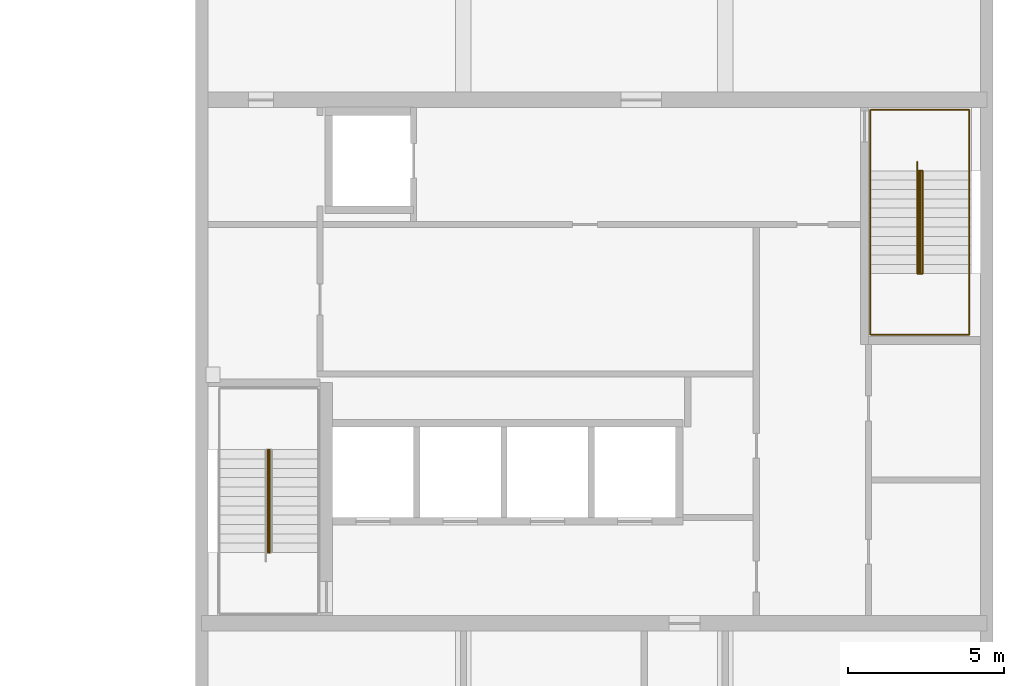
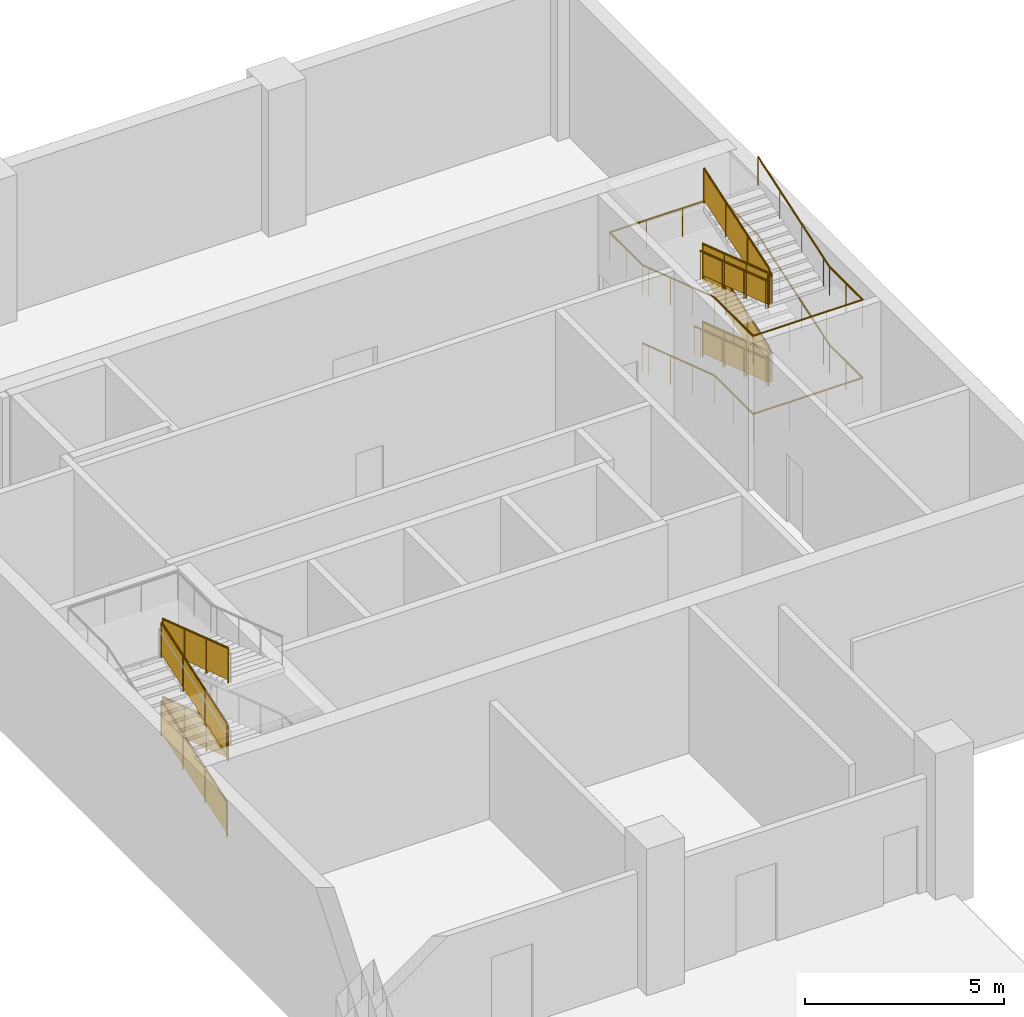
# One storey, part 12 of 13: 10 railings.
"""IFC4 building model written with IfcOpenShell, lengths in metres."""

from ifc_helpers import new_model, si_unit, direction, frame, origin, origin_2d, place, context, subcontext, project, spatial, polyline, circle, outline, extrude, material, type_object, element, save


model = new_model("IFC4")

# Units and contexts
model_context = context("Model", 3, precision=1e-05, world=origin(), true_north=direction((0.0, 1.0)))
body_context = subcontext(model_context, "Body", "Model", "MODEL_VIEW")
ifc_project = project(units=[si_unit("LENGTHUNIT", "METRE"), si_unit("AREAUNIT", "SQUARE_METRE"), si_unit("VOLUMEUNIT", "CUBIC_METRE"), si_unit("PLANEANGLEUNIT", "RADIAN"), si_unit("MASSUNIT", "GRAM", prefix="KILO")], contexts=[model_context])

# Site, building, storey
site_placement = place(None, origin())
site = spatial("IfcSite", under=ifc_project, at=site_placement, CompositionType="ELEMENT")
building_placement = place(site_placement, origin())
building = spatial("IfcBuilding", under=site, at=building_placement, Name="Rulbaag Community and Learning Centre", CompositionType="ELEMENT")
storey_placement = place(building_placement, frame((0.0, 0.0, -4.800048828125)))
storey = spatial("IfcBuildingStorey", under=building, at=storey_placement, Name="B1", CompositionType="ELEMENT", Elevation=-4.800048828125)

# Railings
ifc_material_1 = material(Name="Galvanised mild steel", Category="steel")
railing_type_1 = type_object("IfcRailingType", Name="GR-1100 GUARD 1100", PredefinedType="GUARDRAIL", material=ifc_material_1)
railing_1_placement = place(storey_placement, frame((144.929931640625, 94.675048828125, 0.10009765625)))
element("IfcRailing", 1, at=railing_1_placement, inside=storey, type_object=railing_type_1, Name="Guard ST1 B1 G", PredefinedType="GUARDRAIL", context=body_context, shape_type="SweptSolid", body=[
    extrude(circle(Radius=0.02490234375, at=origin_2d()), frame((0.0, 0.0, 1.0751953125), z_axis=(0.0, 0.948697334215, 0.316185654408), x_axis=(-1.0, 0.0, 0.0)), (0.0, 0.0, 1.0), 3.478515625),
    extrude(circle(Radius=0.02001953125, at=origin_2d()), origin(), (0.0, 0.0, 1.0), 1.050048828125),
    extrude(circle(Radius=0.02001953125, at=origin_2d()), frame((0.0, 1.10009765625, 0.36669921875)), (0.0, 0.0, 1.0), 1.050048828125),
    extrude(circle(Radius=0.02001953125, at=origin_2d()), frame((0.0, 2.199951171875, 0.733154296875)), (0.0, 0.0, 1.0), 1.050048828125),
    extrude(circle(Radius=0.02001953125, at=origin_2d()), frame((0.0, 3.300048828125, 1.099853515625)), (0.0, 0.0, 1.0), 1.050048828125),
    extrude(outline(polyline([(0.0, 0.0), (3.300048828125, 1.099853515625), (3.300048828125, 2.0498046875), (0.0, 0.949951171875), (0.0, 0.0)])), frame((-0.0048828125, 0.0, 0.10009765625), z_axis=(1.0, 0.0, 0.0), x_axis=(0.0, 1.0, 0.0)), (0.0, 0.0, 1.0), 0.010009765625),
])
railing_2_placement = place(storey_placement, frame((144.969970703125, 97.97509765625, 1.300048828125)))
element("IfcRailing", 2, at=railing_2_placement, inside=storey, type_object=railing_type_1, Name="Guard ST1 B1 G2", PredefinedType="GUARDRAIL", context=body_context, shape_type="SweptSolid", body=[
    extrude(circle(Radius=0.02490234375, at=origin_2d()), frame((0.0, 0.0, 1.0751953125), z_axis=(0.0, -0.948676279423, 0.31624882112), x_axis=(1.0, 0.0, 0.0)), (0.0, 0.0, 1.0), 3.478515625),
    extrude(circle(Radius=0.02001953125, at=origin_2d()), origin(), (0.0, 0.0, 1.0), 1.050048828125),
    extrude(circle(Radius=0.02001953125, at=origin_2d()), frame((0.0, -1.10009765625, 0.36669921875)), (0.0, 0.0, 1.0), 1.050048828125),
    extrude(circle(Radius=0.02001953125, at=origin_2d()), frame((0.0, -2.199951171875, 0.7333984375)), (0.0, 0.0, 1.0), 1.050048828125),
    extrude(circle(Radius=0.02001953125, at=origin_2d()), frame((0.0, -3.300048828125, 1.10009765625)), (0.0, 0.0, 1.0), 1.050048828125),
    extrude(outline(polyline([(0.0, 0.0), (3.300048828125, 1.10009765625), (3.300048828125, 2.050048828125), (0.0, 0.949951171875), (0.0, 0.0)])), frame((0.0048828125, 0.0, 0.10009765625), z_axis=(-1.0, 0.0, 0.0), x_axis=(0.0, -1.0, 0.0)), (0.0, 0.0, 1.0), 0.010009765625),
])
railing_3_placement = place(storey_placement, frame((144.929931640625, 94.675048828125, 2.5)))
element("IfcRailing", 3, at=railing_3_placement, inside=storey, type_object=railing_type_1, Name="Guard ST1 B1 G3", PredefinedType="GUARDRAIL", context=body_context, shape_type="SweptSolid", body=[
    extrude(circle(Radius=0.02490234375, at=origin_2d()), frame((0.0, 0.0, 1.0751953125), z_axis=(0.0, 0.948676279423, 0.31624882112), x_axis=(-1.0, 0.0, 0.0)), (0.0, 0.0, 1.0), 3.478515625),
    extrude(circle(Radius=0.02001953125, at=origin_2d()), origin(), (0.0, 0.0, 1.0), 1.050048828125),
    extrude(circle(Radius=0.02001953125, at=origin_2d()), frame((0.0, 1.10009765625, 0.36669921875)), (0.0, 0.0, 1.0), 1.050048828125),
    extrude(circle(Radius=0.02001953125, at=origin_2d()), frame((0.0, 2.199951171875, 0.7333984375)), (0.0, 0.0, 1.0), 1.050048828125),
    extrude(circle(Radius=0.02001953125, at=origin_2d()), frame((0.0, 3.300048828125, 1.10009765625)), (0.0, 0.0, 1.0), 1.050048828125),
    extrude(outline(polyline([(0.0, 0.0), (3.300048828125, 1.10009765625), (3.300048828125, 2.050048828125), (0.0, 0.949951171875), (0.0, 0.0)])), frame((-0.0048828125, 0.0, 0.10009765625), z_axis=(1.0, 0.0, 0.0), x_axis=(0.0, 1.0, 0.0)), (0.0, 0.0, 1.0), 0.010009765625),
])
railing_4_placement = place(storey_placement, frame((144.969970703125, 97.97509765625, 3.699951171875)))
element("IfcRailing", 4, at=railing_4_placement, inside=storey, type_object=railing_type_1, Name="Guard ST1 B1 G4", PredefinedType="GUARDRAIL", context=body_context, shape_type="SweptSolid", body=[
    extrude(circle(Radius=0.02490234375, at=origin_2d()), frame((0.0, 0.0, 1.0751953125), z_axis=(0.0, -0.948676279423, 0.31624882112), x_axis=(1.0, 0.0, 0.0)), (0.0, 0.0, 1.0), 3.478515625),
    extrude(circle(Radius=0.02001953125, at=origin_2d()), origin(), (0.0, 0.0, 1.0), 1.050048828125),
    extrude(circle(Radius=0.02001953125, at=origin_2d()), frame((0.0, -1.10009765625, 0.36669921875)), (0.0, 0.0, 1.0), 1.050048828125),
    extrude(circle(Radius=0.02001953125, at=origin_2d()), frame((0.0, -2.199951171875, 0.7333984375)), (0.0, 0.0, 1.0), 1.050048828125),
    extrude(circle(Radius=0.02001953125, at=origin_2d()), frame((0.0, -3.300048828125, 1.10009765625)), (0.0, 0.0, 1.0), 1.050048828125),
    extrude(outline(polyline([(0.0, 0.0), (3.300048828125, 1.10009765625), (3.300048828125, 2.050048828125), (0.0, 0.949951171875), (0.0, 0.0)])), frame((0.0048828125, 0.0, 0.10009765625), z_axis=(-1.0, 0.0, 0.0), x_axis=(0.0, -1.0, 0.0)), (0.0, 0.0, 1.0), 0.010009765625),
])
railing_5_placement = place(storey_placement, frame((165.830078125, 106.925048828125, 0.10009765625)))
element("IfcRailing", 5, at=railing_5_placement, inside=storey, type_object=railing_type_1, Name="Guard ST2 B1 G", PredefinedType="GUARDRAIL", context=body_context, shape_type="SweptSolid", body=[
    extrude(circle(Radius=0.02490234375, at=origin_2d()), frame((0.0, 0.0, 1.0751953125), z_axis=(0.0, -0.948697334215, 0.316185654408), x_axis=(1.0, 0.0, 0.0)), (0.0, 0.0, 1.0), 3.478515625),
    extrude(circle(Radius=0.02001953125, at=origin_2d()), origin(), (0.0, 0.0, 1.0), 1.050048828125),
    extrude(circle(Radius=0.02001953125, at=origin_2d()), frame((0.0, -1.10009765625, 0.36669921875)), (0.0, 0.0, 1.0), 1.050048828125),
    extrude(circle(Radius=0.02001953125, at=origin_2d()), frame((0.0, -2.199951171875, 0.733154296875)), (0.0, 0.0, 1.0), 1.050048828125),
    extrude(circle(Radius=0.02001953125, at=origin_2d()), frame((0.0, -3.300048828125, 1.099853515625)), (0.0, 0.0, 1.0), 1.050048828125),
    extrude(outline(polyline([(0.0, 0.0), (3.300048828125, 1.099853515625), (3.300048828125, 2.0498046875), (0.0, 0.949951171875), (0.0, 0.0)])), frame((0.0048828125, 0.0, 0.10009765625), z_axis=(-1.0, 0.0, 0.0), x_axis=(0.0, -1.0, 0.0)), (0.0, 0.0, 1.0), 0.010009765625),
])
railing_6_placement = place(storey_placement, frame((165.8701171875, 103.625, 1.300048828125)))
element("IfcRailing", 6, at=railing_6_placement, inside=storey, type_object=railing_type_1, Name="Guard ST2 B1 G2", PredefinedType="GUARDRAIL", context=body_context, shape_type="SweptSolid", body=[
    extrude(circle(Radius=0.02490234375, at=origin_2d()), frame((0.0, 0.0, 1.0751953125), z_axis=(0.0, 0.948676279423, 0.31624882112), x_axis=(-1.0, 0.0, 0.0)), (0.0, 0.0, 1.0), 3.478515625),
    extrude(circle(Radius=0.02001953125, at=origin_2d()), origin(), (0.0, 0.0, 1.0), 1.050048828125),
    extrude(circle(Radius=0.02001953125, at=origin_2d()), frame((0.0, 1.10009765625, 0.36669921875)), (0.0, 0.0, 1.0), 1.050048828125),
    extrude(circle(Radius=0.02001953125, at=origin_2d()), frame((0.0, 2.199951171875, 0.7333984375)), (0.0, 0.0, 1.0), 1.050048828125),
    extrude(circle(Radius=0.02001953125, at=origin_2d()), frame((0.0, 3.300048828125, 1.10009765625)), (0.0, 0.0, 1.0), 1.050048828125),
    extrude(outline(polyline([(0.0, 0.0), (3.300048828125, 1.10009765625), (3.300048828125, 2.050048828125), (0.0, 0.949951171875), (0.0, 0.0)])), frame((-0.0048828125, 0.0, 0.10009765625), z_axis=(1.0, 0.0, 0.0), x_axis=(0.0, 1.0, 0.0)), (0.0, 0.0, 1.0), 0.010009765625),
])
railing_7_placement = place(storey_placement, frame((165.830078125, 106.925048828125, 2.5)))
element("IfcRailing", 7, at=railing_7_placement, inside=storey, type_object=railing_type_1, Name="Guard ST2 B1 G3", PredefinedType="GUARDRAIL", context=body_context, shape_type="SweptSolid", body=[
    extrude(circle(Radius=0.02490234375, at=origin_2d()), frame((0.0, 0.0, 1.0751953125), z_axis=(0.0, -0.948676279423, 0.31624882112), x_axis=(1.0, 0.0, 0.0)), (0.0, 0.0, 1.0), 3.478515625),
    extrude(circle(Radius=0.02001953125, at=origin_2d()), origin(), (0.0, 0.0, 1.0), 1.050048828125),
    extrude(circle(Radius=0.02001953125, at=origin_2d()), frame((0.0, -1.10009765625, 0.36669921875)), (0.0, 0.0, 1.0), 1.050048828125),
    extrude(circle(Radius=0.02001953125, at=origin_2d()), frame((0.0, -2.199951171875, 0.7333984375)), (0.0, 0.0, 1.0), 1.050048828125),
    extrude(circle(Radius=0.02001953125, at=origin_2d()), frame((0.0, -3.300048828125, 1.10009765625)), (0.0, 0.0, 1.0), 1.050048828125),
    extrude(outline(polyline([(0.0, 0.0), (3.300048828125, 1.10009765625), (3.300048828125, 2.050048828125), (0.0, 0.949951171875), (0.0, 0.0)])), frame((0.0048828125, 0.0, 0.10009765625), z_axis=(-1.0, 0.0, 0.0), x_axis=(0.0, -1.0, 0.0)), (0.0, 0.0, 1.0), 0.010009765625),
])
railing_8_placement = place(storey_placement, frame((165.8701171875, 103.625, 3.699951171875)))
element("IfcRailing", 8, at=railing_8_placement, inside=storey, type_object=railing_type_1, Name="Guard ST2 B1 G4", PredefinedType="GUARDRAIL", context=body_context, shape_type="SweptSolid", body=[
    extrude(circle(Radius=0.02490234375, at=origin_2d()), frame((0.0, 0.0, 1.0751953125), z_axis=(0.0, 0.948676279423, 0.31624882112), x_axis=(-1.0, 0.0, 0.0)), (0.0, 0.0, 1.0), 3.478515625),
    extrude(circle(Radius=0.02001953125, at=origin_2d()), origin(), (0.0, 0.0, 1.0), 1.050048828125),
    extrude(circle(Radius=0.02001953125, at=origin_2d()), frame((0.0, 1.10009765625, 0.36669921875)), (0.0, 0.0, 1.0), 1.050048828125),
    extrude(circle(Radius=0.02001953125, at=origin_2d()), frame((0.0, 2.199951171875, 0.7333984375)), (0.0, 0.0, 1.0), 1.050048828125),
    extrude(circle(Radius=0.02001953125, at=origin_2d()), frame((0.0, 3.300048828125, 1.10009765625)), (0.0, 0.0, 1.0), 1.050048828125),
    extrude(outline(polyline([(0.0, 0.0), (3.300048828125, 1.10009765625), (3.300048828125, 2.050048828125), (0.0, 0.949951171875), (0.0, 0.0)])), frame((-0.0048828125, 0.0, 0.10009765625), z_axis=(1.0, 0.0, 0.0), x_axis=(0.0, 1.0, 0.0)), (0.0, 0.0, 1.0), 0.010009765625),
])
ifc_material_2 = material(Name="Stainless steel grade 316", Category="steel")
railing_type_2 = type_object("IfcRailingType", Name="HR-900 HANDRAIL 900", PredefinedType="HANDRAIL", material=ifc_material_2)
railing_9_placement = place(storey_placement, frame((164.260009765625, 107.22509765625, 0.0)))
element("IfcRailing", 9, at=railing_9_placement, inside=storey, type_object=railing_type_2, Name="Handrail ST2 B1 O", PredefinedType="HANDRAIL", context=body_context, shape_type="SweptSolid", body=[
    extrude(circle(Radius=0.024169921875, at=origin_2d()), frame((0.0, 0.0, 0.875732421875), z_axis=(0.0, -0.948606084593, 0.316459312191), x_axis=(1.0, 0.0, 0.0)), (0.0, 0.0, 1.0), 0.31640625),
    extrude(circle(Radius=0.024169921875, at=origin_2d()), frame((0.0, -0.300048828125, 0.975830078125), z_axis=(0.0, -0.948697334215, 0.316185654408), x_axis=(1.0, 0.0, 0.0)), (0.0, 0.0, 1.0), 3.478515625),
    extrude(circle(Radius=0.024169921875, at=origin_2d()), frame((0.0, -3.60009765625, 2.07568359375), z_axis=(0.0, -1.0, 0.0), x_axis=(1.0, 0.0, 0.0)), (0.0, 0.0, 1.0), 1.965087890625),
    extrude(circle(Radius=0.024169921875, at=origin_2d()), frame((0.0, -5.565185546875, 2.07568359375), z_axis=(1.0, 0.0, 0.0), x_axis=(0.0, 1.0, 0.0)), (0.0, 0.0, 1.0), 3.179931640625),
    extrude(circle(Radius=0.024169921875, at=origin_2d()), frame((3.179931640625, -5.565185546875, 2.07568359375), z_axis=(0.0, 1.0, 0.0), x_axis=(-1.0, 0.0, 0.0)), (0.0, 0.0, 1.0), 1.6650390625),
    extrude(circle(Radius=0.024169921875, at=origin_2d()), frame((3.179931640625, -3.900146484375, 2.07568359375), z_axis=(0.0, 0.948606084593, 0.316459312191), x_axis=(-1.0, 0.0, 0.0)), (0.0, 0.0, 1.0), 0.31640625),
    extrude(circle(Radius=0.024169921875, at=origin_2d()), frame((3.179931640625, -3.60009765625, 2.17578125), z_axis=(0.0, 0.948676279423, 0.31624882112), x_axis=(-1.0, 0.0, 0.0)), (0.0, 0.0, 1.0), 3.478515625),
    extrude(circle(Radius=0.024169921875, at=origin_2d()), frame((3.179931640625, -0.300048828125, 3.27587890625), z_axis=(0.0, 1.0, 0.0), x_axis=(-1.0, 0.0, 0.0)), (0.0, 0.0, 1.0), 1.96484375),
    extrude(circle(Radius=0.024169921875, at=origin_2d()), frame((3.179931640625, 1.664794921875, 3.27587890625), z_axis=(-1.0, 0.0, 0.0), x_axis=(0.0, -1.0, 0.0)), (0.0, 0.0, 1.0), 3.179931640625),
    extrude(circle(Radius=0.024169921875, at=origin_2d()), frame((0.0, 1.664794921875, 3.27587890625), z_axis=(0.0, -1.0, 0.0), x_axis=(1.0, 0.0, 0.0)), (0.0, 0.0, 1.0), 1.664794921875),
    extrude(circle(Radius=0.024169921875, at=origin_2d()), frame((0.0, 0.0, 3.27587890625), z_axis=(0.0, -0.948837593029, 0.315764504108), x_axis=(1.0, 0.0, 0.0)), (0.0, 0.0, 1.0), 0.316162109375),
    extrude(circle(Radius=0.024169921875, at=origin_2d()), frame((0.0, -0.300048828125, 3.375732421875), z_axis=(0.0, -0.948676279423, 0.31624882112), x_axis=(1.0, 0.0, 0.0)), (0.0, 0.0, 1.0), 3.478515625),
    extrude(circle(Radius=0.024169921875, at=origin_2d()), frame((0.0, -3.60009765625, 4.475830078125), z_axis=(0.0, -1.0, 0.0), x_axis=(1.0, 0.0, 0.0)), (0.0, 0.0, 1.0), 1.965087890625),
    extrude(circle(Radius=0.024169921875, at=origin_2d()), frame((0.0, -5.565185546875, 4.475830078125), z_axis=(1.0, 0.0, 0.0), x_axis=(0.0, 1.0, 0.0)), (0.0, 0.0, 1.0), 3.179931640625),
    extrude(circle(Radius=0.024169921875, at=origin_2d()), frame((3.179931640625, -5.565185546875, 4.475830078125), z_axis=(0.0, 1.0, 0.0), x_axis=(-1.0, 0.0, 0.0)), (0.0, 0.0, 1.0), 1.6650390625),
    extrude(circle(Radius=0.024169921875, at=origin_2d()), frame((3.179931640625, -3.900146484375, 4.475830078125), z_axis=(0.0, 0.948837593029, 0.315764504108), x_axis=(-1.0, 0.0, 0.0)), (0.0, 0.0, 1.0), 0.316162109375),
    extrude(circle(Radius=0.024169921875, at=origin_2d()), frame((3.179931640625, -3.60009765625, 4.57568359375), z_axis=(0.0, 0.948676279423, 0.31624882112), x_axis=(-1.0, 0.0, 0.0)), (0.0, 0.0, 1.0), 3.478515625),
    extrude(circle(Radius=0.008056640625, at=origin_2d()), origin(), (0.0, 0.0, 1.0), 0.8515625),
    extrude(circle(Radius=0.008056640625, at=origin_2d()), frame((0.0, -0.300048828125, 0.10009765625)), (0.0, 0.0, 1.0), 0.8515625),
    extrude(circle(Radius=0.008056640625, at=origin_2d()), frame((0.0, -1.400146484375, 0.466796875)), (0.0, 0.0, 1.0), 0.8515625),
    extrude(circle(Radius=0.008056640625, at=origin_2d()), frame((0.0, -2.5, 0.833251953125)), (0.0, 0.0, 1.0), 0.8515625),
    extrude(circle(Radius=0.008056640625, at=origin_2d()), frame((0.0, -3.60009765625, 1.199951171875)), (0.0, 0.0, 1.0), 0.8515625),
    extrude(circle(Radius=0.008056640625, at=origin_2d()), frame((0.0, -4.58251953125, 1.199951171875)), (0.0, 0.0, 1.0), 0.8515625),
    extrude(circle(Radius=0.008056640625, at=origin_2d()), frame((0.0, -5.565185546875, 1.199951171875)), (0.0, 0.0, 1.0), 0.8515625),
    extrude(circle(Radius=0.008056640625, at=origin_2d()), frame((1.06005859375, -5.565185546875, 1.199951171875)), (0.0, 0.0, 1.0), 0.8515625),
    extrude(circle(Radius=0.008056640625, at=origin_2d()), frame((2.119873046875, -5.565185546875, 1.199951171875)), (0.0, 0.0, 1.0), 0.8515625),
    extrude(circle(Radius=0.008056640625, at=origin_2d()), frame((3.179931640625, -5.565185546875, 1.199951171875)), (0.0, 0.0, 1.0), 0.8515625),
    extrude(circle(Radius=0.008056640625, at=origin_2d()), frame((3.179931640625, -4.732666015625, 1.199951171875)), (0.0, 0.0, 1.0), 0.8515625),
    extrude(circle(Radius=0.008056640625, at=origin_2d()), frame((3.179931640625, -3.900146484375, 1.199951171875)), (0.0, 0.0, 1.0), 0.8515625),
    extrude(circle(Radius=0.008056640625, at=origin_2d()), frame((3.179931640625, -3.60009765625, 1.300048828125)), (0.0, 0.0, 1.0), 0.8515625),
    extrude(circle(Radius=0.008056640625, at=origin_2d()), frame((3.179931640625, -2.5, 1.666748046875)), (0.0, 0.0, 1.0), 0.8515625),
    extrude(circle(Radius=0.008056640625, at=origin_2d()), frame((3.179931640625, -1.400146484375, 2.033447265625)), (0.0, 0.0, 1.0), 0.8515625),
    extrude(circle(Radius=0.008056640625, at=origin_2d()), frame((3.179931640625, -0.300048828125, 2.400146484375)), (0.0, 0.0, 1.0), 0.8515625),
    extrude(circle(Radius=0.008056640625, at=origin_2d()), frame((3.179931640625, 0.682373046875, 2.400146484375)), (0.0, 0.0, 1.0), 0.8515625),
    extrude(circle(Radius=0.008056640625, at=origin_2d()), frame((3.179931640625, 1.664794921875, 2.400146484375)), (0.0, 0.0, 1.0), 0.8515625),
    extrude(circle(Radius=0.008056640625, at=origin_2d()), frame((2.119873046875, 1.664794921875, 2.400146484375)), (0.0, 0.0, 1.0), 0.8515625),
    extrude(circle(Radius=0.008056640625, at=origin_2d()), frame((1.06005859375, 1.664794921875, 2.400146484375)), (0.0, 0.0, 1.0), 0.8515625),
    extrude(circle(Radius=0.008056640625, at=origin_2d()), frame((0.0, 1.664794921875, 2.400146484375)), (0.0, 0.0, 1.0), 0.8515625),
    extrude(circle(Radius=0.008056640625, at=origin_2d()), frame((0.0, 0.83251953125, 2.400146484375)), (0.0, 0.0, 1.0), 0.8515625),
    extrude(circle(Radius=0.008056640625, at=origin_2d()), frame((0.0, 0.0, 2.400146484375)), (0.0, 0.0, 1.0), 0.8515625),
    extrude(circle(Radius=0.008056640625, at=origin_2d()), frame((0.0, -0.300048828125, 2.5)), (0.0, 0.0, 1.0), 0.8515625),
    extrude(circle(Radius=0.008056640625, at=origin_2d()), frame((0.0, -1.400146484375, 2.86669921875)), (0.0, 0.0, 1.0), 0.8515625),
    extrude(circle(Radius=0.008056640625, at=origin_2d()), frame((0.0, -2.5, 3.2333984375)), (0.0, 0.0, 1.0), 0.8515625),
    extrude(circle(Radius=0.008056640625, at=origin_2d()), frame((0.0, -3.60009765625, 3.60009765625)), (0.0, 0.0, 1.0), 0.8515625),
    extrude(circle(Radius=0.008056640625, at=origin_2d()), frame((0.0, -4.58251953125, 3.60009765625)), (0.0, 0.0, 1.0), 0.8515625),
    extrude(circle(Radius=0.008056640625, at=origin_2d()), frame((0.0, -5.565185546875, 3.60009765625)), (0.0, 0.0, 1.0), 0.8515625),
    extrude(circle(Radius=0.008056640625, at=origin_2d()), frame((1.06005859375, -5.565185546875, 3.60009765625)), (0.0, 0.0, 1.0), 0.8515625),
    extrude(circle(Radius=0.008056640625, at=origin_2d()), frame((2.119873046875, -5.565185546875, 3.60009765625)), (0.0, 0.0, 1.0), 0.8515625),
    extrude(circle(Radius=0.008056640625, at=origin_2d()), frame((3.179931640625, -5.565185546875, 3.60009765625)), (0.0, 0.0, 1.0), 0.8515625),
    extrude(circle(Radius=0.008056640625, at=origin_2d()), frame((3.179931640625, -4.732666015625, 3.60009765625)), (0.0, 0.0, 1.0), 0.8515625),
    extrude(circle(Radius=0.008056640625, at=origin_2d()), frame((3.179931640625, -3.900146484375, 3.60009765625)), (0.0, 0.0, 1.0), 0.8515625),
    extrude(circle(Radius=0.008056640625, at=origin_2d()), frame((3.179931640625, -3.60009765625, 3.699951171875)), (0.0, 0.0, 1.0), 0.8515625),
    extrude(circle(Radius=0.008056640625, at=origin_2d()), frame((3.179931640625, -2.5, 4.066650390625)), (0.0, 0.0, 1.0), 0.8515625),
    extrude(circle(Radius=0.008056640625, at=origin_2d()), frame((3.179931640625, -1.400146484375, 4.433349609375)), (0.0, 0.0, 1.0), 0.8515625),
    extrude(circle(Radius=0.008056640625, at=origin_2d()), frame((3.179931640625, -0.300048828125, 4.800048828125)), (0.0, 0.0, 1.0), 0.8515625),
])
railing_10_placement = place(storey_placement, frame((165.760009765625, 107.22509765625, 0.0)))
element("IfcRailing", 10, at=railing_10_placement, inside=storey, type_object=railing_type_2, Name="Handrail ST2 B1 I", PredefinedType="HANDRAIL", context=body_context, shape_type="SweptSolid", body=[
    extrude(circle(Radius=0.024169921875, at=origin_2d()), frame((0.0, 0.0, 0.875732421875), z_axis=(0.0, -0.948606084593, 0.316459312191), x_axis=(1.0, 0.0, 0.0)), (0.0, 0.0, 1.0), 0.31640625),
    extrude(circle(Radius=0.024169921875, at=origin_2d()), frame((0.0, -0.300048828125, 0.975830078125), z_axis=(0.0, -0.948697334215, 0.316185654408), x_axis=(1.0, 0.0, 0.0)), (0.0, 0.0, 1.0), 3.478515625),
    extrude(circle(Radius=0.024169921875, at=origin_2d()), frame((0.0, -3.60009765625, 2.07568359375), z_axis=(0.873877479659, 0.0, 0.486146223419), x_axis=(0.0, 1.0, 0.0)), (0.0, 0.0, 1.0), 0.205810546875),
    extrude(circle(Radius=0.024169921875, at=origin_2d()), frame((0.179931640625, -3.60009765625, 2.17578125), z_axis=(0.0, 0.948676279423, 0.31624882112), x_axis=(-1.0, 0.0, 0.0)), (0.0, 0.0, 1.0), 3.478515625),
    extrude(circle(Radius=0.024169921875, at=origin_2d()), frame((0.179931640625, -0.300048828125, 3.27587890625), z_axis=(-0.874381033399, 0.0, 0.485239949336), x_axis=(0.0, -1.0, 0.0)), (0.0, 0.0, 1.0), 0.205810546875),
    extrude(circle(Radius=0.024169921875, at=origin_2d()), frame((0.0, -0.300048828125, 3.375732421875), z_axis=(0.0, -0.948676279423, 0.31624882112), x_axis=(1.0, 0.0, 0.0)), (0.0, 0.0, 1.0), 3.478515625),
    extrude(circle(Radius=0.024169921875, at=origin_2d()), frame((0.0, -3.60009765625, 4.475830078125), z_axis=(0.874381033399, 0.0, 0.485239949336), x_axis=(0.0, 1.0, 0.0)), (0.0, 0.0, 1.0), 0.205810546875),
    extrude(circle(Radius=0.024169921875, at=origin_2d()), frame((0.179931640625, -3.60009765625, 4.57568359375), z_axis=(0.0, 0.948676279423, 0.31624882112), x_axis=(-1.0, 0.0, 0.0)), (0.0, 0.0, 1.0), 3.478515625),
    extrude(circle(Radius=0.008056640625, at=origin_2d()), origin(), (0.0, 0.0, 1.0), 0.8515625),
    extrude(circle(Radius=0.008056640625, at=origin_2d()), frame((0.0, -0.300048828125, 0.10009765625)), (0.0, 0.0, 1.0), 0.8515625),
    extrude(circle(Radius=0.008056640625, at=origin_2d()), frame((0.0, -1.400146484375, 0.466796875)), (0.0, 0.0, 1.0), 0.8515625),
    extrude(circle(Radius=0.008056640625, at=origin_2d()), frame((0.0, -2.5, 0.833251953125)), (0.0, 0.0, 1.0), 0.8515625),
    extrude(circle(Radius=0.008056640625, at=origin_2d()), frame((0.0, -3.60009765625, 1.199951171875)), (0.0, 0.0, 1.0), 0.8515625),
    extrude(circle(Radius=0.008056640625, at=origin_2d()), frame((0.179931640625, -3.60009765625, 1.300048828125)), (0.0, 0.0, 1.0), 0.8515625),
    extrude(circle(Radius=0.008056640625, at=origin_2d()), frame((0.179931640625, -2.5, 1.666748046875)), (0.0, 0.0, 1.0), 0.8515625),
    extrude(circle(Radius=0.008056640625, at=origin_2d()), frame((0.179931640625, -1.400146484375, 2.033447265625)), (0.0, 0.0, 1.0), 0.8515625),
    extrude(circle(Radius=0.008056640625, at=origin_2d()), frame((0.179931640625, -0.300048828125, 2.400146484375)), (0.0, 0.0, 1.0), 0.8515625),
    extrude(circle(Radius=0.008056640625, at=origin_2d()), frame((0.0, -0.300048828125, 2.5)), (0.0, 0.0, 1.0), 0.8515625),
    extrude(circle(Radius=0.008056640625, at=origin_2d()), frame((0.0, -1.400146484375, 2.86669921875)), (0.0, 0.0, 1.0), 0.8515625),
    extrude(circle(Radius=0.008056640625, at=origin_2d()), frame((0.0, -2.5, 3.2333984375)), (0.0, 0.0, 1.0), 0.8515625),
    extrude(circle(Radius=0.008056640625, at=origin_2d()), frame((0.0, -3.60009765625, 3.60009765625)), (0.0, 0.0, 1.0), 0.8515625),
    extrude(circle(Radius=0.008056640625, at=origin_2d()), frame((0.179931640625, -3.60009765625, 3.699951171875)), (0.0, 0.0, 1.0), 0.8515625),
    extrude(circle(Radius=0.008056640625, at=origin_2d()), frame((0.179931640625, -2.5, 4.066650390625)), (0.0, 0.0, 1.0), 0.8515625),
    extrude(circle(Radius=0.008056640625, at=origin_2d()), frame((0.179931640625, -1.400146484375, 4.433349609375)), (0.0, 0.0, 1.0), 0.8515625),
    extrude(circle(Radius=0.008056640625, at=origin_2d()), frame((0.179931640625, -0.300048828125, 4.800048828125)), (0.0, 0.0, 1.0), 0.8515625),
])

save(model, "model.ifc")
